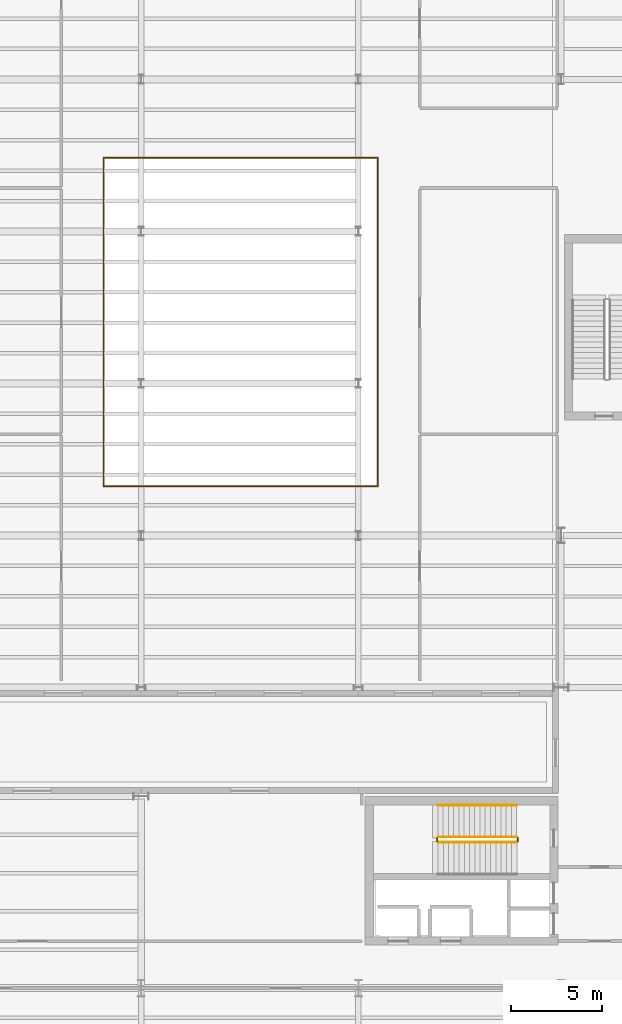
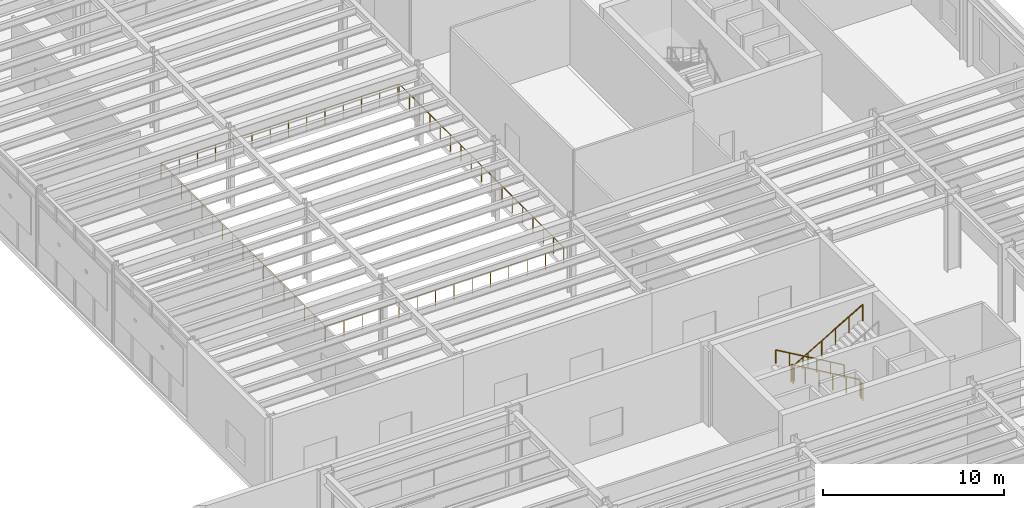
# One storey, part 97 of 98: 7 railings.
"""IFC4 building model written with IfcOpenShell, lengths in metres."""

from ifc_helpers import new_model, si_unit, direction, frame, origin, origin_2d, place, context, subcontext, project, spatial, circle, extrude, material, type_object, element, save


model = new_model("IFC4")

# Units and contexts
model_context = context("Model", 3, precision=1e-05, world=origin(), true_north=direction((0.0, 1.0)))
body_context = subcontext(model_context, "Body", "Model", "MODEL_VIEW")
ifc_project = project(units=[si_unit("LENGTHUNIT", "METRE"), si_unit("AREAUNIT", "SQUARE_METRE"), si_unit("VOLUMEUNIT", "CUBIC_METRE"), si_unit("PLANEANGLEUNIT", "RADIAN"), si_unit("MASSUNIT", "GRAM", prefix="KILO")], contexts=[model_context])

# Site, building, storey
site_placement = place(None, origin())
site = spatial("IfcSite", under=ifc_project, at=site_placement, CompositionType="ELEMENT")
building_placement = place(site_placement, origin())
building = spatial("IfcBuilding", under=site, at=building_placement, Name="Sollismere Congress Hotel", CompositionType="ELEMENT")
storey_placement = place(building_placement, frame((0.0, 0.0, 5.39990234375)))
storey = spatial("IfcBuildingStorey", under=building, at=storey_placement, Name="L01", CompositionType="ELEMENT", Elevation=5.39990234375)

# Railings
ifc_material_1 = material(Name="Bronze and Laminated Safety Glass", Category="glass")
railing_type_1 = type_object("IfcRailingType", Name="RL-BAL112I", PredefinedType="BALUSTRADE", material=ifc_material_1)
railing_1_placement = place(storey_placement, frame((121.919921875, 35.919921875, 0.0)))
element("IfcRailing", 1, at=railing_1_placement, inside=storey, type_object=railing_type_1, Name="RLG-GDA-L01-080", PredefinedType="BALUSTRADE", context=body_context, shape_type="SweptSolid", body=[
    extrude(circle(Radius=0.02392578125, at=origin_2d()), frame((0.0, 0.0, 1.09619140625), z_axis=(1.0, 0.0, 0.0), x_axis=(0.0, 1.0, 0.0)), (0.0, 0.0, 1.0), 15.16015625),
    extrude(circle(Radius=0.02392578125, at=origin_2d()), frame((15.16015625, 0.0, 1.09619140625), z_axis=(0.0, 1.0, 0.0), x_axis=(-1.0, 0.0, 0.0)), (0.0, 0.0, 1.0), 18.16015625),
    extrude(circle(Radius=0.02099609375, at=origin_2d()), origin(), (0.0, 0.0, 1.0), 1.072021484375),
    extrude(circle(Radius=0.02099609375, at=origin_2d()), frame((1.166259765625, 0.0, 0.0)), (0.0, 0.0, 1.0), 1.072021484375),
    extrude(circle(Radius=0.02099609375, at=origin_2d()), frame((2.332275390625, 0.0, 0.0)), (0.0, 0.0, 1.0), 1.072021484375),
    extrude(circle(Radius=0.02099609375, at=origin_2d()), frame((3.49853515625, 0.0, 0.0)), (0.0, 0.0, 1.0), 1.072021484375),
    extrude(circle(Radius=0.02099609375, at=origin_2d()), frame((4.66455078125, 0.0, 0.0)), (0.0, 0.0, 1.0), 1.072021484375),
    extrude(circle(Radius=0.02099609375, at=origin_2d()), frame((5.830810546875, 0.0, 0.0)), (0.0, 0.0, 1.0), 1.072021484375),
    extrude(circle(Radius=0.02099609375, at=origin_2d()), frame((6.9970703125, 0.0, 0.0)), (0.0, 0.0, 1.0), 1.072021484375),
    extrude(circle(Radius=0.02099609375, at=origin_2d()), frame((8.1630859375, 0.0, 0.0)), (0.0, 0.0, 1.0), 1.072021484375),
    extrude(circle(Radius=0.02099609375, at=origin_2d()), frame((9.329345703125, 0.0, 0.0)), (0.0, 0.0, 1.0), 1.072021484375),
    extrude(circle(Radius=0.02099609375, at=origin_2d()), frame((10.49560546875, 0.0, 0.0)), (0.0, 0.0, 1.0), 1.072021484375),
    extrude(circle(Radius=0.02099609375, at=origin_2d()), frame((11.66162109375, 0.0, 0.0)), (0.0, 0.0, 1.0), 1.072021484375),
    extrude(circle(Radius=0.02099609375, at=origin_2d()), frame((12.827880859375, 0.0, 0.0)), (0.0, 0.0, 1.0), 1.072021484375),
    extrude(circle(Radius=0.02099609375, at=origin_2d()), frame((13.993896484375, 0.0, 0.0)), (0.0, 0.0, 1.0), 1.072021484375),
    extrude(circle(Radius=0.02099609375, at=origin_2d()), frame((15.16015625, 0.0, 0.0)), (0.0, 0.0, 1.0), 1.072021484375),
    extrude(circle(Radius=0.02099609375, at=origin_2d()), frame((15.16015625, 1.135009765625, 0.0)), (0.0, 0.0, 1.0), 1.072021484375),
    extrude(circle(Radius=0.02099609375, at=origin_2d()), frame((15.16015625, 2.27001953125, 0.0)), (0.0, 0.0, 1.0), 1.072021484375),
    extrude(circle(Radius=0.02099609375, at=origin_2d()), frame((15.16015625, 3.405029296875, 0.0)), (0.0, 0.0, 1.0), 1.072021484375),
    extrude(circle(Radius=0.02099609375, at=origin_2d()), frame((15.16015625, 4.5400390625, 0.0)), (0.0, 0.0, 1.0), 1.072021484375),
    extrude(circle(Radius=0.02099609375, at=origin_2d()), frame((15.16015625, 5.675048828125, 0.0)), (0.0, 0.0, 1.0), 1.072021484375),
    extrude(circle(Radius=0.02099609375, at=origin_2d()), frame((15.16015625, 6.81005859375, 0.0)), (0.0, 0.0, 1.0), 1.072021484375),
    extrude(circle(Radius=0.02099609375, at=origin_2d()), frame((15.16015625, 7.945068359375, 0.0)), (0.0, 0.0, 1.0), 1.072021484375),
    extrude(circle(Radius=0.02099609375, at=origin_2d()), frame((15.16015625, 9.080078125, 0.0)), (0.0, 0.0, 1.0), 1.072021484375),
    extrude(circle(Radius=0.02099609375, at=origin_2d()), frame((15.16015625, 10.215087890625, 0.0)), (0.0, 0.0, 1.0), 1.072021484375),
    extrude(circle(Radius=0.02099609375, at=origin_2d()), frame((15.16015625, 11.35009765625, 0.0)), (0.0, 0.0, 1.0), 1.072021484375),
    extrude(circle(Radius=0.02099609375, at=origin_2d()), frame((15.16015625, 12.485107421875, 0.0)), (0.0, 0.0, 1.0), 1.072021484375),
    extrude(circle(Radius=0.02099609375, at=origin_2d()), frame((15.16015625, 13.6201171875, 0.0)), (0.0, 0.0, 1.0), 1.072021484375),
    extrude(circle(Radius=0.02099609375, at=origin_2d()), frame((15.16015625, 14.755126953125, 0.0)), (0.0, 0.0, 1.0), 1.072021484375),
    extrude(circle(Radius=0.02099609375, at=origin_2d()), frame((15.16015625, 15.89013671875, 0.0)), (0.0, 0.0, 1.0), 1.072021484375),
    extrude(circle(Radius=0.02099609375, at=origin_2d()), frame((15.16015625, 17.025146484375, 0.0)), (0.0, 0.0, 1.0), 1.072021484375),
    extrude(circle(Radius=0.02099609375, at=origin_2d()), frame((15.16015625, 18.16015625, 0.0)), (0.0, 0.0, 1.0), 1.072021484375),
])
railing_2_placement = place(storey_placement, frame((137.0, 54.080078125, 0.0)))
element("IfcRailing", 2, at=railing_2_placement, inside=storey, type_object=railing_type_1, Name="RLG-GDA-L01-081", PredefinedType="BALUSTRADE", context=body_context, shape_type="SweptSolid", body=[
    extrude(circle(Radius=0.02392578125, at=origin_2d()), frame((0.0, 0.0, 1.09619140625), z_axis=(-1.0, 0.0, 0.0), x_axis=(0.0, -1.0, 0.0)), (0.0, 0.0, 1.0), 15.080078125),
    extrude(circle(Radius=0.02392578125, at=origin_2d()), frame((-15.080078125, 0.0, 1.09619140625), z_axis=(0.0, -1.0, 0.0), x_axis=(1.0, 0.0, 0.0)), (0.0, 0.0, 1.0), 18.080078125),
    extrude(circle(Radius=0.02099609375, at=origin_2d()), origin(), (0.0, 0.0, 1.0), 1.072021484375),
    extrude(circle(Radius=0.02099609375, at=origin_2d()), frame((-1.159912109375, 0.0, 0.0)), (0.0, 0.0, 1.0), 1.072021484375),
    extrude(circle(Radius=0.02099609375, at=origin_2d()), frame((-2.320068359375, 0.0, 0.0)), (0.0, 0.0, 1.0), 1.072021484375),
    extrude(circle(Radius=0.02099609375, at=origin_2d()), frame((-3.47998046875, 0.0, 0.0)), (0.0, 0.0, 1.0), 1.072021484375),
    extrude(circle(Radius=0.02099609375, at=origin_2d()), frame((-4.64013671875, 0.0, 0.0)), (0.0, 0.0, 1.0), 1.072021484375),
    extrude(circle(Radius=0.02099609375, at=origin_2d()), frame((-5.800048828125, 0.0, 0.0)), (0.0, 0.0, 1.0), 1.072021484375),
    extrude(circle(Radius=0.02099609375, at=origin_2d()), frame((-6.9599609375, 0.0, 0.0)), (0.0, 0.0, 1.0), 1.072021484375),
    extrude(circle(Radius=0.02099609375, at=origin_2d()), frame((-8.1201171875, 0.0, 0.0)), (0.0, 0.0, 1.0), 1.072021484375),
    extrude(circle(Radius=0.02099609375, at=origin_2d()), frame((-9.280029296875, 0.0, 0.0)), (0.0, 0.0, 1.0), 1.072021484375),
    extrude(circle(Radius=0.02099609375, at=origin_2d()), frame((-10.43994140625, 0.0, 0.0)), (0.0, 0.0, 1.0), 1.072021484375),
    extrude(circle(Radius=0.02099609375, at=origin_2d()), frame((-11.60009765625, 0.0, 0.0)), (0.0, 0.0, 1.0), 1.072021484375),
    extrude(circle(Radius=0.02099609375, at=origin_2d()), frame((-12.760009765625, 0.0, 0.0)), (0.0, 0.0, 1.0), 1.072021484375),
    extrude(circle(Radius=0.02099609375, at=origin_2d()), frame((-13.920166015625, 0.0, 0.0)), (0.0, 0.0, 1.0), 1.072021484375),
    extrude(circle(Radius=0.02099609375, at=origin_2d()), frame((-15.080078125, 0.0, 0.0)), (0.0, 0.0, 1.0), 1.072021484375),
    extrude(circle(Radius=0.02099609375, at=origin_2d()), frame((-15.080078125, -1.1298828125, 0.0)), (0.0, 0.0, 1.0), 1.072021484375),
    extrude(circle(Radius=0.02099609375, at=origin_2d()), frame((-15.080078125, -2.260009765625, 0.0)), (0.0, 0.0, 1.0), 1.072021484375),
    extrude(circle(Radius=0.02099609375, at=origin_2d()), frame((-15.080078125, -3.39013671875, 0.0)), (0.0, 0.0, 1.0), 1.072021484375),
    extrude(circle(Radius=0.02099609375, at=origin_2d()), frame((-15.080078125, -4.52001953125, 0.0)), (0.0, 0.0, 1.0), 1.072021484375),
    extrude(circle(Radius=0.02099609375, at=origin_2d()), frame((-15.080078125, -5.64990234375, 0.0)), (0.0, 0.0, 1.0), 1.072021484375),
    extrude(circle(Radius=0.02099609375, at=origin_2d()), frame((-15.080078125, -6.780029296875, 0.0)), (0.0, 0.0, 1.0), 1.072021484375),
    extrude(circle(Radius=0.02099609375, at=origin_2d()), frame((-15.080078125, -7.91015625, 0.0)), (0.0, 0.0, 1.0), 1.072021484375),
    extrude(circle(Radius=0.02099609375, at=origin_2d()), frame((-15.080078125, -9.0400390625, 0.0)), (0.0, 0.0, 1.0), 1.072021484375),
    extrude(circle(Radius=0.02099609375, at=origin_2d()), frame((-15.080078125, -10.169921875, 0.0)), (0.0, 0.0, 1.0), 1.072021484375),
    extrude(circle(Radius=0.02099609375, at=origin_2d()), frame((-15.080078125, -11.300048828125, 0.0)), (0.0, 0.0, 1.0), 1.072021484375),
    extrude(circle(Radius=0.02099609375, at=origin_2d()), frame((-15.080078125, -12.43017578125, 0.0)), (0.0, 0.0, 1.0), 1.072021484375),
    extrude(circle(Radius=0.02099609375, at=origin_2d()), frame((-15.080078125, -13.56005859375, 0.0)), (0.0, 0.0, 1.0), 1.072021484375),
    extrude(circle(Radius=0.02099609375, at=origin_2d()), frame((-15.080078125, -14.68994140625, 0.0)), (0.0, 0.0, 1.0), 1.072021484375),
    extrude(circle(Radius=0.02099609375, at=origin_2d()), frame((-15.080078125, -15.820068359375, 0.0)), (0.0, 0.0, 1.0), 1.072021484375),
    extrude(circle(Radius=0.02099609375, at=origin_2d()), frame((-15.080078125, -16.9501953125, 0.0)), (0.0, 0.0, 1.0), 1.072021484375),
    extrude(circle(Radius=0.02099609375, at=origin_2d()), frame((-15.080078125, -18.080078125, 0.0)), (0.0, 0.0, 1.0), 1.072021484375),
])
ifc_material_2 = material(Name="Steel ASTM A500 Grade C", Category="steel")
railing_type_2 = type_object("IfcRailingType", Name="RL-GRD112", PredefinedType="GUARDRAIL", material=ifc_material_2)
railing_3_placement = place(storey_placement, frame((144.75, 16.550048828125, 0.1689453125)))
element("IfcRailing", 3, at=railing_3_placement, inside=storey, type_object=railing_type_2, Name="RLG-RG-ST-01-L01-1", PredefinedType="GUARDRAIL", context=body_context, shape_type="SweptSolid", body=[
    extrude(circle(Radius=0.02392578125, at=origin_2d()), frame((0.0, 0.0, 1.09619140625), z_axis=(-0.864323800911, 0.0, 0.50293574856), x_axis=(0.0, -1.0, 0.0)), (0.0, 0.0, 1.0), 5.032958984375),
    extrude(circle(Radius=0.02099609375, at=origin_2d()), origin(), (0.0, 0.0, 1.0), 1.072021484375),
    extrude(circle(Radius=0.02099609375, at=origin_2d()), frame((-0.8701171875, 0.0, 0.50634765625)), (0.0, 0.0, 1.0), 1.072021484375),
    extrude(circle(Radius=0.02099609375, at=origin_2d()), frame((-1.739990234375, 0.0, 1.012451171875)), (0.0, 0.0, 1.0), 1.072021484375),
    extrude(circle(Radius=0.02099609375, at=origin_2d()), frame((-2.610107421875, 0.0, 1.518798828125)), (0.0, 0.0, 1.0), 1.072021484375),
    extrude(circle(Radius=0.02099609375, at=origin_2d()), frame((-3.47998046875, 0.0, 2.02490234375)), (0.0, 0.0, 1.0), 1.072021484375),
    extrude(circle(Radius=0.02099609375, at=origin_2d()), frame((-4.35009765625, 0.0, 2.53125)), (0.0, 0.0, 1.0), 1.072021484375),
])
railing_4_placement = place(storey_placement, frame((140.35009765625, 16.5, 2.7001953125)))
element("IfcRailing", 4, at=railing_4_placement, inside=storey, type_object=railing_type_2, Name="RLG-RG-ST-01-L01-2", PredefinedType="GUARDRAIL", context=body_context, shape_type="SweptSolid", body=[
    extrude(circle(Radius=0.02392578125, at=origin_2d()), frame((0.0, 0.0, 1.09619140625), z_axis=(0.0, -1.0, 0.0), x_axis=(1.0, 0.0, 0.0)), (0.0, 0.0, 1.0), 0.199951171875),
    extrude(circle(Radius=0.02099609375, at=origin_2d()), origin(), (0.0, 0.0, 1.0), 1.072021484375),
    extrude(circle(Radius=0.02099609375, at=origin_2d()), frame((0.0, -0.199951171875, 0.0)), (0.0, 0.0, 1.0), 1.072021484375),
])
railing_5_placement = place(storey_placement, frame((140.39990234375, 16.25, 2.868896484375)))
element("IfcRailing", 5, at=railing_5_placement, inside=storey, type_object=railing_type_2, Name="RLG-RG-ST-01-L01-3", PredefinedType="GUARDRAIL", context=body_context, shape_type="SweptSolid", body=[
    extrude(circle(Radius=0.02392578125, at=origin_2d()), frame((0.0, 0.0, 1.09619140625), z_axis=(0.864323800911, 0.0, 0.50293574856), x_axis=(0.0, 1.0, 0.0)), (0.0, 0.0, 1.0), 5.032958984375),
    extrude(circle(Radius=0.02099609375, at=origin_2d()), origin(), (0.0, 0.0, 1.0), 1.072021484375),
    extrude(circle(Radius=0.02099609375, at=origin_2d()), frame((0.8701171875, 0.0, 0.50634765625)), (0.0, 0.0, 1.0), 1.072021484375),
    extrude(circle(Radius=0.02099609375, at=origin_2d()), frame((1.739990234375, 0.0, 1.012451171875)), (0.0, 0.0, 1.0), 1.072021484375),
    extrude(circle(Radius=0.02099609375, at=origin_2d()), frame((2.610107421875, 0.0, 1.518798828125)), (0.0, 0.0, 1.0), 1.072021484375),
    extrude(circle(Radius=0.02099609375, at=origin_2d()), frame((3.47998046875, 0.0, 2.02490234375)), (0.0, 0.0, 1.0), 1.072021484375),
    extrude(circle(Radius=0.02099609375, at=origin_2d()), frame((4.35009765625, 0.0, 2.53125)), (0.0, 0.0, 1.0), 1.072021484375),
])
railing_6_placement = place(storey_placement, frame((144.800048828125, 16.5, 0.0)))
element("IfcRailing", 6, at=railing_6_placement, inside=storey, type_object=railing_type_2, Name="RLG-RG-ST-01-L01-4", PredefinedType="GUARDRAIL", context=body_context, shape_type="SweptSolid", body=[
    extrude(circle(Radius=0.02392578125, at=origin_2d()), frame((0.0, 0.0, 1.09619140625), z_axis=(0.0, -1.0, 0.0), x_axis=(1.0, 0.0, 0.0)), (0.0, 0.0, 1.0), 0.199951171875),
    extrude(circle(Radius=0.02099609375, at=origin_2d()), origin(), (0.0, 0.0, 1.0), 1.072021484375),
    extrude(circle(Radius=0.02099609375, at=origin_2d()), frame((0.0, -0.199951171875, 0.0)), (0.0, 0.0, 1.0), 1.072021484375),
])
ifc_material_3 = material(Name="Brushed Architectural Bronze")
railing_type_3 = type_object("IfcRailingType", Name="RL-HND90", PredefinedType="HANDRAIL", material=ifc_material_3)
railing_7_placement = place(storey_placement, frame((144.75, 18.300048828125, 0.3134765625)))
element("IfcRailing", 7, at=railing_7_placement, inside=storey, type_object=railing_type_3, Name="RLG-RH-ST-01-L01-1", PredefinedType="HANDRAIL", context=body_context, shape_type="SweptSolid", body=[
    extrude(circle(Radius=0.02392578125, at=origin_2d()), frame((0.0, 0.0, 0.8759765625), z_axis=(-0.864323800911, 0.0, 0.50293574856), x_axis=(0.0, -1.0, 0.0)), (0.0, 0.0, 1.0), 5.032958984375),
    extrude(circle(Radius=0.02099609375, at=origin_2d()), origin(), (0.0, 0.0, 1.0), 0.851806640625),
    extrude(circle(Radius=0.02099609375, at=origin_2d()), frame((-0.8701171875, 0.0, 0.50634765625)), (0.0, 0.0, 1.0), 0.851806640625),
    extrude(circle(Radius=0.02099609375, at=origin_2d()), frame((-1.739990234375, 0.0, 1.012451171875)), (0.0, 0.0, 1.0), 0.851806640625),
    extrude(circle(Radius=0.02099609375, at=origin_2d()), frame((-2.610107421875, 0.0, 1.518798828125)), (0.0, 0.0, 1.0), 0.851806640625),
    extrude(circle(Radius=0.02099609375, at=origin_2d()), frame((-3.47998046875, 0.0, 2.02490234375)), (0.0, 0.0, 1.0), 0.851806640625),
    extrude(circle(Radius=0.02099609375, at=origin_2d()), frame((-4.35009765625, 0.0, 2.53125)), (0.0, 0.0, 1.0), 0.851806640625),
])

save(model, "model.ifc")
